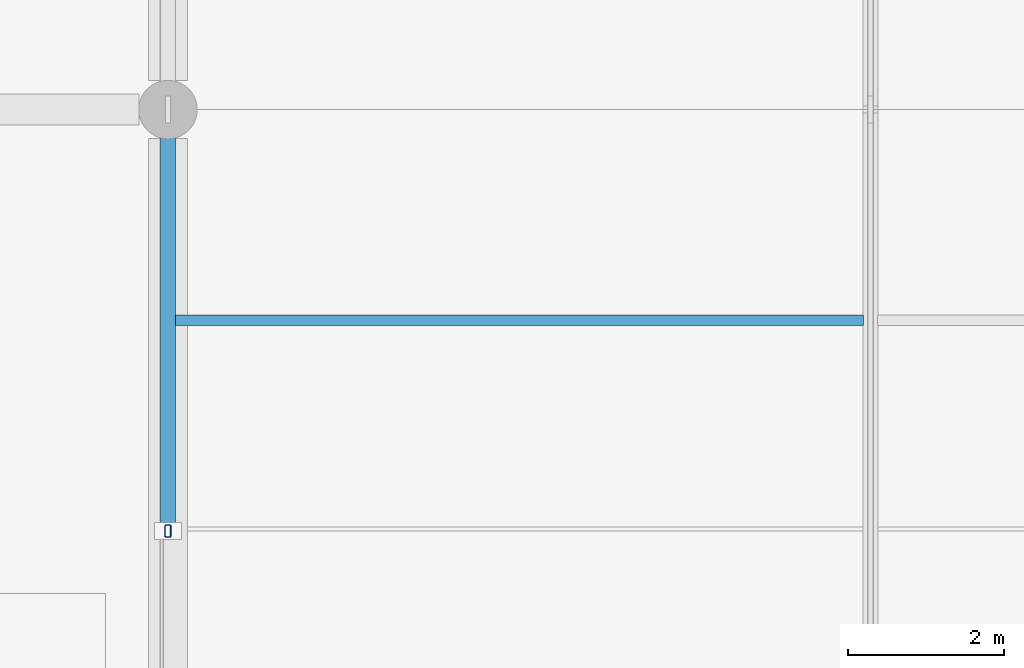
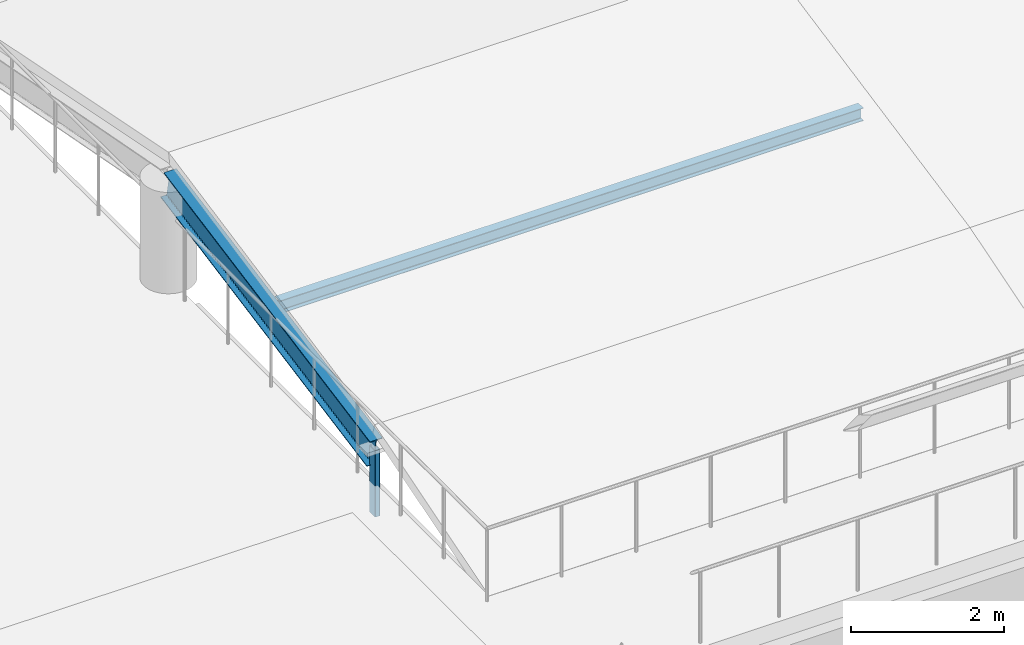
# One storey, part 16 of 158: 2 members, 1 beam.
"""IFC4 building model written with IfcOpenShell, lengths in metres."""

from ifc_helpers import new_model, si_unit, direction, frame, origin, origin_2d, place, context, subcontext, project, spatial, hollow_rectangle, i_section, extrude, material, material_profile, profile_set, type_object, element, save


model = new_model("IFC4")

# Units and contexts
model_context = context("Model", 3, precision=1e-05, world=origin(), true_north=direction((0.0, 1.0)))
body_context = subcontext(model_context, "Body", "Model", "MODEL_VIEW")
ifc_project = project(units=[si_unit("LENGTHUNIT", "METRE"), si_unit("AREAUNIT", "SQUARE_METRE"), si_unit("VOLUMEUNIT", "CUBIC_METRE"), si_unit("PLANEANGLEUNIT", "RADIAN"), si_unit("MASSUNIT", "GRAM", prefix="KILO")], contexts=[model_context])

# Site, building, storey
site_placement = place(None, origin())
site = spatial("IfcSite", under=ifc_project, at=site_placement, CompositionType="ELEMENT")
building_placement = place(site_placement, origin())
building = spatial("IfcBuilding", under=site, at=building_placement, Name="Lusvemor Sports Hall", CompositionType="ELEMENT")
storey_placement = place(building_placement, frame((0.0, 0.0, 10.800048828125)))
storey = spatial("IfcBuildingStorey", under=building, at=storey_placement, Name="L02", CompositionType="ELEMENT", Elevation=10.800048828125)

# Beam
ifc_material_1 = material(Name="Steel S355", Category="steel")
ifc_material_profile_1 = material_profile(ifc_material_1, i_section(OverallWidth=0.18994140625, OverallDepth=0.45703125, WebThickness=0.009033203125, FlangeThickness=0.014404296875, FilletRadius=0.01806640625, at=origin_2d()), Name="W460x74.0")
ifc_profile_set_1 = profile_set([ifc_material_profile_1], Name="Steel S355")
beam_type = type_object("IfcBeamType", Name="GIRD_ST_460", PredefinedType="T_BEAM", material=ifc_profile_set_1)
beam_placement = place(storey_placement, frame((84.60009765625, 12.60009765625, 0.47998046875), z_axis=(0.0, 0.982289164746, 0.187371280679), x_axis=(-1.0, 0.0, 0.0)))
element("IfcBeam", 1, at=beam_placement, inside=storey, type_object=beam_type, Name="Foyer Lantern Portal Rafter 9-1", PredefinedType="T_BEAM", context=body_context, shape_type="SweptSolid", body=[
    extrude(i_section(OverallWidth=0.18994140625, OverallDepth=0.45703125, WebThickness=0.009033203125, FlangeThickness=0.014404296875, FilletRadius=0.01806640625, at=origin_2d()), origin(), (0.0, 0.0, 1.0), 5.497314453125),
])

# Members
ifc_material_2 = material(Name="Steel S355", Category="steel")
ifc_material_profile_2 = material_profile(ifc_material_2, i_section(OverallWidth=0.133056640625, OverallDepth=0.20703125, WebThickness=0.005859375, FlangeThickness=0.00830078125, FilletRadius=0.010009765625, at=origin_2d()), Name="W200x26.6")
ifc_profile_set_2 = profile_set([ifc_material_profile_2], Name="Steel S355")
member_type_1 = type_object("IfcMemberType", Name="PURL_FOYER_200", PredefinedType="PURLIN", material=ifc_profile_set_2)
member_1_placement = place(storey_placement, frame((84.68994140625, 15.300048828125, 1.163818359375), z_axis=(1.0, 0.0, 0.0), x_axis=(0.0, 1.0, 0.0)))
element("IfcMember", 2, at=member_1_placement, inside=storey, type_object=member_type_1, Name="Lantern Purlin 9-1", PredefinedType="PURLIN", context=body_context, shape_type="SweptSolid", body=[
    extrude(i_section(OverallWidth=0.133056640625, OverallDepth=0.20703125, WebThickness=0.005859375, FlangeThickness=0.00830078125, FilletRadius=0.010009765625, at=origin_2d()), origin(), (0.0, 0.0, 1.0), 8.820068359375),
])
ifc_material_3 = material(Name="Steel S355", Category="steel")
ifc_material_profile_3 = material_profile(ifc_material_3, hollow_rectangle(XDim=0.080078125, YDim=0.159912109375, WallThickness=0.008056640625, InnerFilletRadius=0.008056640625, OuterFilletRadius=0.01611328125, at=origin_2d()), Name="RHS160x80x8")
ifc_profile_set_3 = profile_set([ifc_material_profile_3], Name="Steel S355")
member_type_2 = type_object("IfcMemberType", Name="STRUT_LANTERN_160", PredefinedType="STRUT", material=ifc_profile_set_3)
member_2_placement = place(storey_placement, frame((84.60009765625, 12.60009765625, -0.5), z_axis=(0.0, 0.0, 1.0), x_axis=(1.0, 0.0, 0.0)))
element("IfcMember", 3, at=member_2_placement, inside=storey, type_object=member_type_2, Name="Lantern Gable Portal Strut 9-S", PredefinedType="STRUT", context=body_context, shape_type="SweptSolid", body=[
    extrude(hollow_rectangle(XDim=0.080078125, YDim=0.159912109375, WallThickness=0.008056640625, InnerFilletRadius=0.008056640625, OuterFilletRadius=0.01611328125, at=origin_2d()), origin(), (0.0, 0.0, 1.0), 1.06005859375),
])

save(model, "model.ifc")
